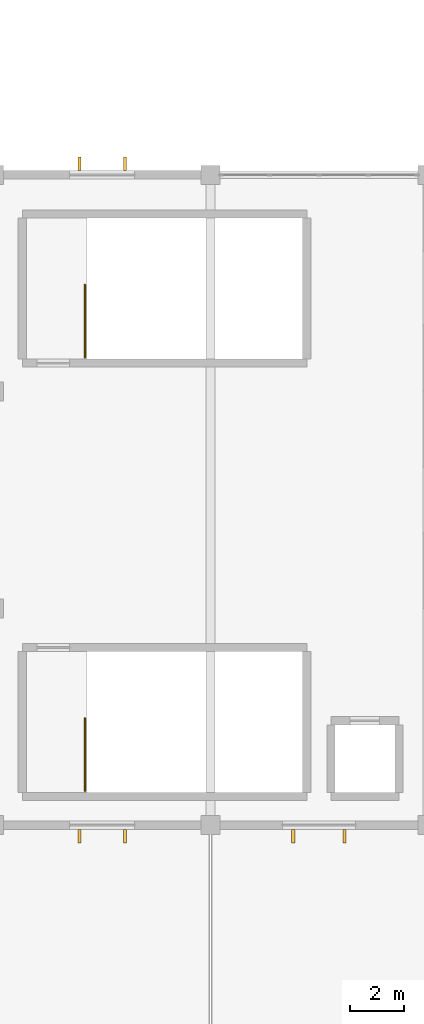
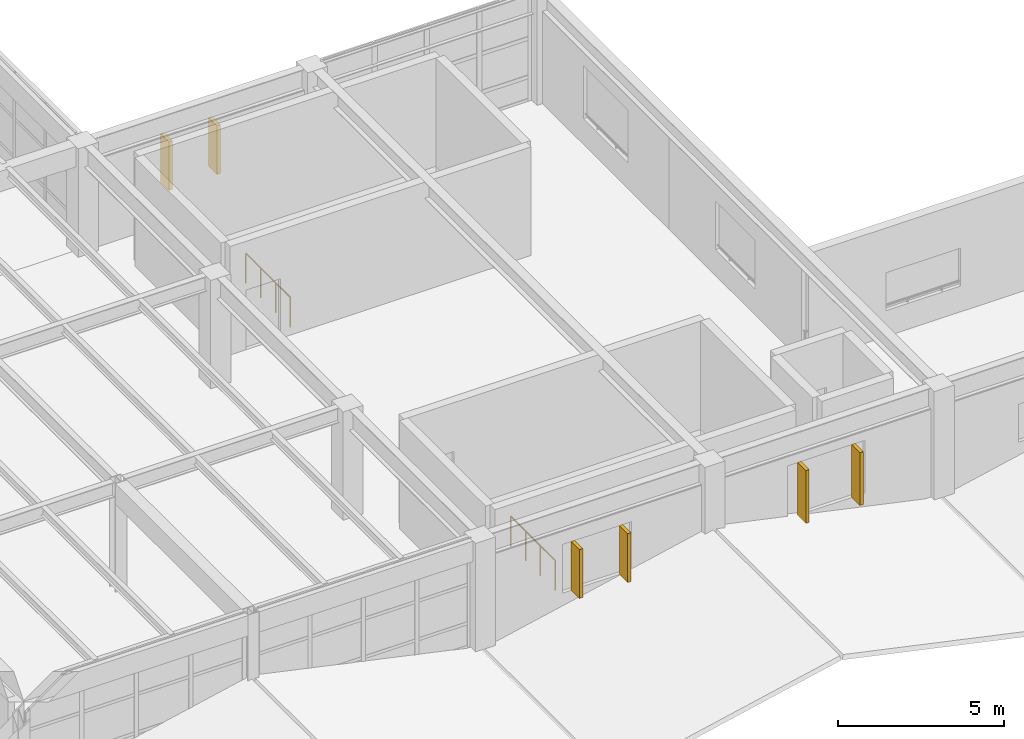
# One storey, part 44 of 48: 6 shading devices, 2 railings.
"""IFC4 building model written with IfcOpenShell, lengths in metres."""

from ifc_helpers import new_model, si_unit, direction, frame, origin, origin_2d, place, context, subcontext, project, spatial, rectangle, circle, extrude, material, type_object, element, save


model = new_model("IFC4")

# Units and contexts
model_context = context("Model", 3, precision=1e-05, world=origin(), true_north=direction((0.0, 1.0)))
body_context = subcontext(model_context, "Body", "Model", "MODEL_VIEW")
ifc_project = project(units=[si_unit("LENGTHUNIT", "METRE"), si_unit("AREAUNIT", "SQUARE_METRE"), si_unit("VOLUMEUNIT", "CUBIC_METRE"), si_unit("PLANEANGLEUNIT", "RADIAN"), si_unit("MASSUNIT", "GRAM", prefix="KILO")], contexts=[model_context])

# Site, building, storey
site_placement = place(None, origin())
site = spatial("IfcSite", under=ifc_project, at=site_placement, CompositionType="ELEMENT")
building_placement = place(site_placement, origin())
building = spatial("IfcBuilding", under=site, at=building_placement, Name="Varnela Railside Interchange", CompositionType="ELEMENT")
storey_placement = place(building_placement, frame((0.0, 0.0, 11.199951171875)))
storey = spatial("IfcBuildingStorey", under=building, at=storey_placement, Name="L02", CompositionType="ELEMENT", Elevation=11.199951171875)

# Shading devices
ifc_material_1 = material(Name="Concrete C40 precast", Category="concrete")
shading_device_type = type_object("IfcShadingDeviceType", Name="Paulista Vertical Brise-Soleil BS-01", PredefinedType="USERDEFINED", material=ifc_material_1)
for number, where, z_axis, x_axis, name in (
    (1, (55.159912109375, 62.405029296875, 0.9501953125), (0.0, 0.0, 1.0), (0.0, 1.0, 0.0), "Paulista Vertical Brise-Soleil BS-01 (L02)"),
    (2, (56.840087890625, 62.405029296875, 0.9501953125), (0.0, 0.0, 1.0), (0.0, 1.0, 0.0), "Paulista Vertical Brise-Soleil BS-01 (L02)"),
):
    element("IfcShadingDevice", number, at=place(storey_placement, frame(where, z_axis=z_axis, x_axis=x_axis)), inside=storey, type_object=shading_device_type, Name=name, ObjectType="FIN", PredefinedType="USERDEFINED", context=body_context, shape_type="SweptSolid", body=[
        extrude(rectangle(XDim=0.5, YDim=0.1201171875, at=origin_2d()), origin(), (0.0, 0.0, 1.0), 1.800048828125),
    ])
for number, where, z_axis, x_axis, name in (
    (3, (64.945068359375, 37.594970703125, 0.9501953125), (0.0, 0.0, 1.0), (0.0, -1.0, 0.0), "Paulista Vertical Brise-Soleil BS-01 (L02)"),
    (4, (63.054931640625, 37.594970703125, 0.9501953125), (0.0, 0.0, 1.0), (0.0, -1.0, 0.0), "Paulista Vertical Brise-Soleil BS-01 (L02)"),
):
    element("IfcShadingDevice", number, at=place(storey_placement, frame(where, z_axis=z_axis, x_axis=x_axis)), inside=storey, type_object=shading_device_type, Name=name, ObjectType="FIN", PredefinedType="USERDEFINED", context=body_context, shape_type="SweptSolid", body=[
        extrude(rectangle(XDim=0.5, YDim=0.1201171875, at=origin_2d()), origin(), (0.0, 0.0, 1.0), 1.949951171875),
    ])
for number, where, z_axis, x_axis, name in (
    (5, (56.840087890625, 37.594970703125, 0.9501953125), (0.0, 0.0, 1.0), (0.0, -1.0, 0.0), "Paulista Vertical Brise-Soleil BS-01 (L02)"),
    (6, (55.159912109375, 37.594970703125, 0.9501953125), (0.0, 0.0, 1.0), (0.0, -1.0, 0.0), "Paulista Vertical Brise-Soleil BS-01 (L02)"),
):
    element("IfcShadingDevice", number, at=place(storey_placement, frame(where, z_axis=z_axis, x_axis=x_axis)), inside=storey, type_object=shading_device_type, Name=name, ObjectType="FIN", PredefinedType="USERDEFINED", context=body_context, shape_type="SweptSolid", body=[
        extrude(rectangle(XDim=0.5, YDim=0.1201171875, at=origin_2d()), origin(), (0.0, 0.0, 1.0), 1.800048828125),
    ])

# Railings
ifc_material_2 = material(Name="Steel AR 350 (350 MPa)", Category="steel")
railing_type = type_object("IfcRailingType", Name="Stair Well & Landing Guard GR-02", PredefinedType="GUARDRAIL", material=ifc_material_2)
for number, where, name in (
    (7, (55.360107421875, 39.260009765625, 0.0), "Stair Well Arrival Guard ST-C1 on L02 (RL-0330)"),
    (8, (55.360107421875, 55.260009765625, 0.0), "Stair Well Arrival Guard ST-C3 on L02 (RL-0332)"),
):
    element("IfcRailing", number, at=place(storey_placement, frame(where)), inside=storey, type_object=railing_type, Name=name, PredefinedType="GUARDRAIL", context=body_context, shape_type="SweptSolid", body=[
        extrude(circle(Radius=0.02392578125, at=origin_2d()), frame((0.0, 0.0, 1.09619140625), z_axis=(0.0, 1.0, 0.0), x_axis=(-1.0, 0.0, 0.0)), (0.0, 0.0, 1.0), 2.68994140625),
        extrude(circle(Radius=0.02099609375, at=origin_2d()), origin(), (0.0, 0.0, 1.0), 1.072021484375),
        extrude(circle(Radius=0.02099609375, at=origin_2d()), frame((0.0, 0.896728515625, 0.0)), (0.0, 0.0, 1.0), 1.072021484375),
        extrude(circle(Radius=0.02099609375, at=origin_2d()), frame((0.0, 1.793212890625, 0.0)), (0.0, 0.0, 1.0), 1.072021484375),
        extrude(circle(Radius=0.02099609375, at=origin_2d()), frame((0.0, 2.68994140625, 0.0)), (0.0, 0.0, 1.0), 1.072021484375),
    ])

save(model, "model.ifc")
